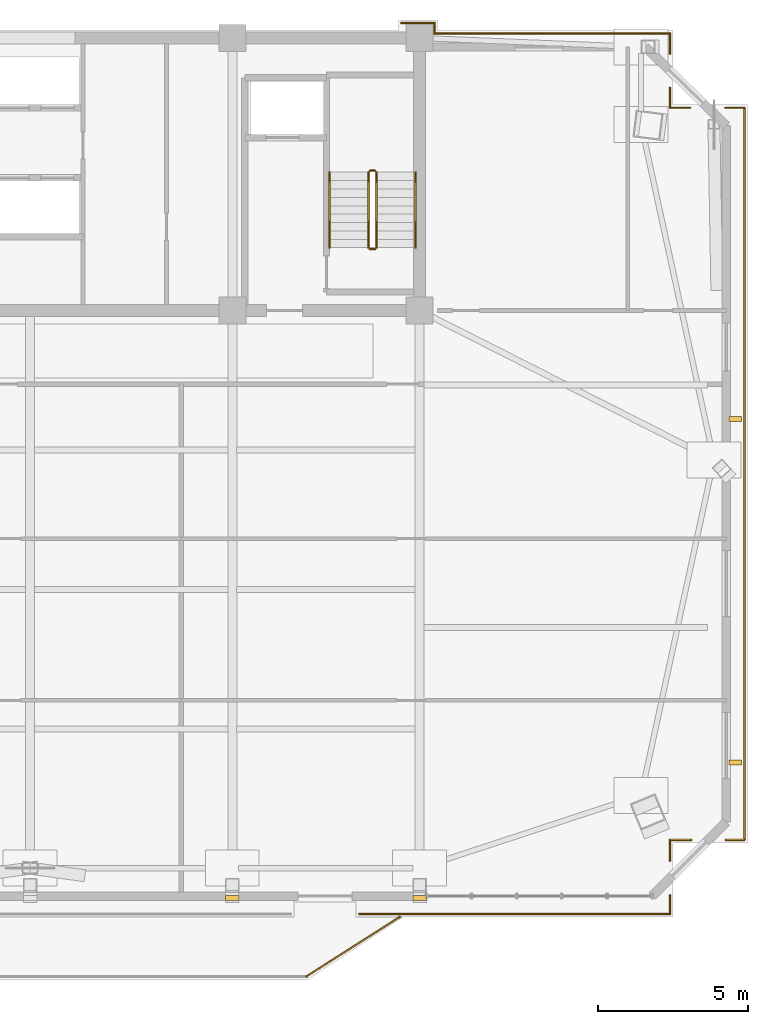
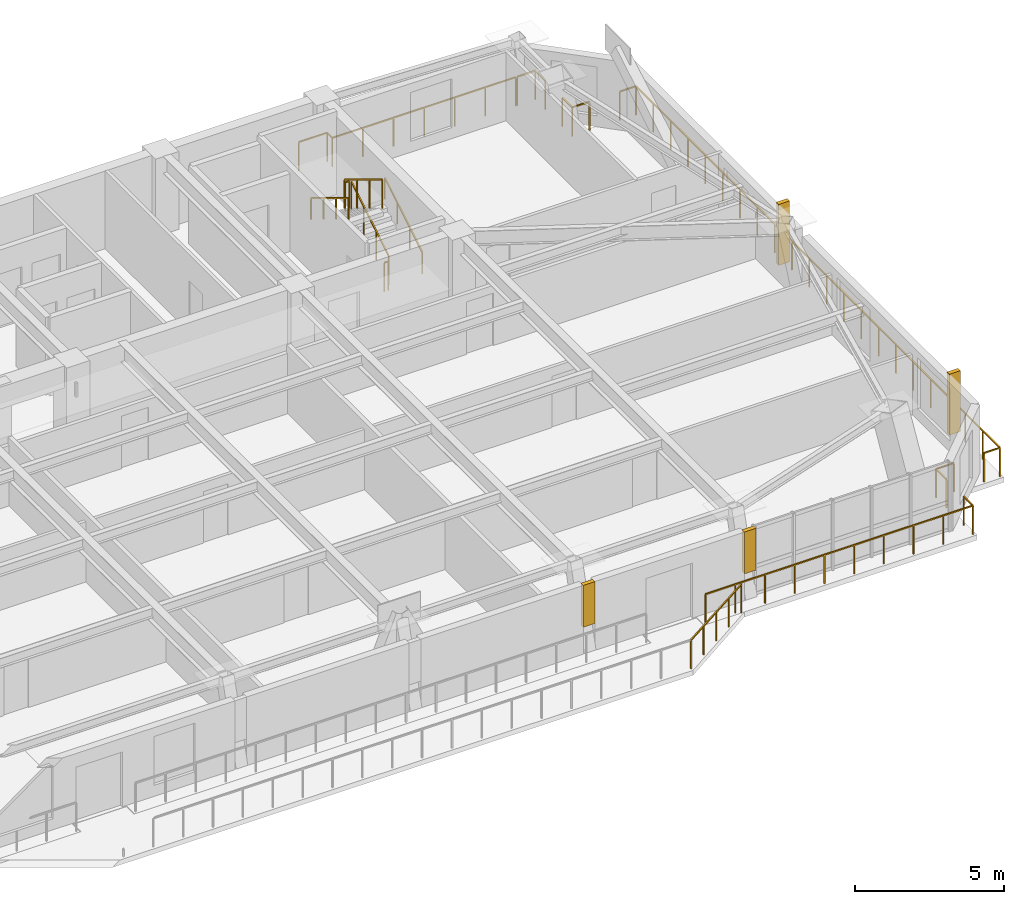
# One storey, part 15 of 15: 21 railings, 2 coverings, 2 shading devices.
"""IFC4 building model written with IfcOpenShell, lengths in metres."""

from ifc_helpers import new_model, si_unit, direction, frame, origin, origin_2d, place, context, subcontext, project, spatial, polyline, rectangle, outline, extrude, source, transform, mapped, material, layer, layer_set, type_object, element, save


model = new_model("IFC4")

# Units and contexts
model_context = context("Model", 3, precision=1e-05, world=origin(), true_north=direction((0.0, 1.0)))
body_context = subcontext(model_context, "Body", "Model", "MODEL_VIEW")
ifc_project = project(units=[si_unit("LENGTHUNIT", "METRE"), si_unit("AREAUNIT", "SQUARE_METRE"), si_unit("VOLUMEUNIT", "CUBIC_METRE"), si_unit("PLANEANGLEUNIT", "RADIAN"), si_unit("MASSUNIT", "GRAM", prefix="KILO")], contexts=[model_context])

# Site, building, storey
site_placement = place(None, origin())
site = spatial("IfcSite", under=ifc_project, at=site_placement, CompositionType="ELEMENT")
building_placement = place(site_placement, origin())
building = spatial("IfcBuilding", under=site, at=building_placement, Name="Giltprow Tower", CompositionType="ELEMENT")
storey_placement = place(building_placement, frame((0.0, 0.0, 290.39990234375)))
storey = spatial("IfcBuildingStorey", under=building, at=storey_placement, Name="L74", CompositionType="ELEMENT", Elevation=290.39990234375)

# Coverings
ifc_material = material(Name="Anodized bronze", Category="metal")
ifc_layer = layer(ifc_material, 0.0400390625, Name="Anodized bronze")
ifc_layer_set = layer_set([ifc_layer], Name="Anodized bronze")
covering_type = type_object("IfcCoveringType", Name="COV-SOFFIT-BRONZE", PredefinedType="CLADDING", material=ifc_layer_set)
covering_1_placement = place(storey_placement, frame((0.0, 0.0, 1.10009765625)))
element("IfcCovering", 1, at=covering_1_placement, inside=storey, type_object=covering_type, Name="L74 Setback Pier Closure Cladding S-4", PredefinedType="CLADDING", context=body_context, shape_type="SweptSolid", body=[
    extrude(outline(polyline([(44.074951171875, 17.76806640625), (44.52490234375, 17.76806640625), (44.52490234375, 17.927978515625), (44.074951171875, 17.927978515625), (44.074951171875, 17.76806640625)])), origin(), (0.0, 0.0, 1.0), 1.715087890625),
])
covering_2_placement = place(storey_placement, frame((0.0, 0.0, 1.10009765625)))
element("IfcCovering", 2, at=covering_2_placement, inside=storey, type_object=covering_type, Name="L74 Setback Pier Closure Cladding S-5", PredefinedType="CLADDING", context=body_context, shape_type="SweptSolid", body=[
    extrude(outline(polyline([(50.324951171875, 17.76806640625), (50.77490234375, 17.76806640625), (50.77490234375, 17.927978515625), (50.324951171875, 17.927978515625), (50.324951171875, 17.76806640625)])), origin(), (0.0, 0.0, 1.0), 1.715087890625),
])

# Railings
railing_type_1 = type_object("IfcRailingType", Name="RAIL-BALC-GUARD-1200", PredefinedType="BALUSTRADE", material=ifc_material)
railing_1_placement = place(storey_placement, frame((46.780029296875, 15.22802734375, 0.0)))
element("IfcRailing", 3, at=railing_1_placement, inside=storey, type_object=railing_type_1, Name="L74 Waterfront Balcony Balustrade Seg 3", PredefinedType="BALUSTRADE", context=body_context, shape_type="SweptSolid", body=[
    extrude(rectangle(XDim=0.048095703125, YDim=0.048095703125, at=origin_2d()), frame((0.0, 0.0, 1.17578125), z_axis=(0.842755646126, 0.538296313309, 0.0), x_axis=(-0.538296313309, 0.842755646126, 0.0)), (0.0, 0.0, 1.0), 3.67822265625),
    extrude(rectangle(XDim=0.0419921875, YDim=0.0419921875, at=origin_2d()), origin(), (0.0, 0.0, 1.0), 1.15185546875),
    extrude(rectangle(XDim=0.0419921875, YDim=0.0419921875, at=origin_2d()), frame((0.77490234375, 0.4951171875, 0.0)), (0.0, 0.0, 1.0), 1.15185546875),
    extrude(rectangle(XDim=0.0419921875, YDim=0.0419921875, at=origin_2d()), frame((1.5498046875, 0.989990234375, 0.0)), (0.0, 0.0, 1.0), 1.15185546875),
    extrude(rectangle(XDim=0.0419921875, YDim=0.0419921875, at=origin_2d()), frame((2.324951171875, 1.48486328125, 0.0)), (0.0, 0.0, 1.0), 1.15185546875),
    extrude(rectangle(XDim=0.0419921875, YDim=0.0419921875, at=origin_2d()), frame((3.099853515625, 1.97998046875, 0.0)), (0.0, 0.0, 1.0), 1.15185546875),
])
railing_2_placement = place(storey_placement, frame((61.39111328125, 44.221923828125, 0.0)))
element("IfcRailing", 4, at=railing_2_placement, inside=storey, type_object=railing_type_1, Name="L74 Corner Apron Edge Balustrade 1", PredefinedType="BALUSTRADE", context=body_context, shape_type="SweptSolid", body=[
    extrude(rectangle(XDim=0.048095703125, YDim=0.048095703125, at=origin_2d()), frame((0.0, 0.0, 1.17578125), z_axis=(0.0, -1.0, 0.0), x_axis=(1.0, 0.0, 0.0)), (0.0, 0.0, 1.0), 24.43701171875),
    extrude(rectangle(XDim=0.0419921875, YDim=0.0419921875, at=origin_2d()), origin(), (0.0, 0.0, 1.0), 1.15185546875),
    extrude(rectangle(XDim=0.0419921875, YDim=0.0419921875, at=origin_2d()), frame((0.0, -1.16357421875, 0.0)), (0.0, 0.0, 1.0), 1.15185546875),
    extrude(rectangle(XDim=0.0419921875, YDim=0.0419921875, at=origin_2d()), frame((0.0, -2.327392578125, 0.0)), (0.0, 0.0, 1.0), 1.15185546875),
    extrude(rectangle(XDim=0.0419921875, YDim=0.0419921875, at=origin_2d()), frame((0.0, -3.490966796875, 0.0)), (0.0, 0.0, 1.0), 1.15185546875),
    extrude(rectangle(XDim=0.0419921875, YDim=0.0419921875, at=origin_2d()), frame((0.0, -4.65478515625, 0.0)), (0.0, 0.0, 1.0), 1.15185546875),
    extrude(rectangle(XDim=0.0419921875, YDim=0.0419921875, at=origin_2d()), frame((0.0, -5.818359375, 0.0)), (0.0, 0.0, 1.0), 1.15185546875),
    extrude(rectangle(XDim=0.0419921875, YDim=0.0419921875, at=origin_2d()), frame((0.0, -6.98193359375, 0.0)), (0.0, 0.0, 1.0), 1.15185546875),
    extrude(rectangle(XDim=0.0419921875, YDim=0.0419921875, at=origin_2d()), frame((0.0, -8.145751953125, 0.0)), (0.0, 0.0, 1.0), 1.15185546875),
    extrude(rectangle(XDim=0.0419921875, YDim=0.0419921875, at=origin_2d()), frame((0.0, -9.309326171875, 0.0)), (0.0, 0.0, 1.0), 1.15185546875),
    extrude(rectangle(XDim=0.0419921875, YDim=0.0419921875, at=origin_2d()), frame((0.0, -10.472900390625, 0.0)), (0.0, 0.0, 1.0), 1.15185546875),
    extrude(rectangle(XDim=0.0419921875, YDim=0.0419921875, at=origin_2d()), frame((0.0, -11.63671875, 0.0)), (0.0, 0.0, 1.0), 1.15185546875),
    extrude(rectangle(XDim=0.0419921875, YDim=0.0419921875, at=origin_2d()), frame((0.0, -12.80029296875, 0.0)), (0.0, 0.0, 1.0), 1.15185546875),
    extrude(rectangle(XDim=0.0419921875, YDim=0.0419921875, at=origin_2d()), frame((0.0, -13.964111328125, 0.0)), (0.0, 0.0, 1.0), 1.15185546875),
    extrude(rectangle(XDim=0.0419921875, YDim=0.0419921875, at=origin_2d()), frame((0.0, -15.127685546875, 0.0)), (0.0, 0.0, 1.0), 1.15185546875),
    extrude(rectangle(XDim=0.0419921875, YDim=0.0419921875, at=origin_2d()), frame((0.0, -16.291259765625, 0.0)), (0.0, 0.0, 1.0), 1.15185546875),
    extrude(rectangle(XDim=0.0419921875, YDim=0.0419921875, at=origin_2d()), frame((0.0, -17.455078125, 0.0)), (0.0, 0.0, 1.0), 1.15185546875),
    extrude(rectangle(XDim=0.0419921875, YDim=0.0419921875, at=origin_2d()), frame((0.0, -18.61865234375, 0.0)), (0.0, 0.0, 1.0), 1.15185546875),
    extrude(rectangle(XDim=0.0419921875, YDim=0.0419921875, at=origin_2d()), frame((0.0, -19.7822265625, 0.0)), (0.0, 0.0, 1.0), 1.15185546875),
    extrude(rectangle(XDim=0.0419921875, YDim=0.0419921875, at=origin_2d()), frame((0.0, -20.946044921875, 0.0)), (0.0, 0.0, 1.0), 1.15185546875),
    extrude(rectangle(XDim=0.0419921875, YDim=0.0419921875, at=origin_2d()), frame((0.0, -22.109619140625, 0.0)), (0.0, 0.0, 1.0), 1.15185546875),
    extrude(rectangle(XDim=0.0419921875, YDim=0.0419921875, at=origin_2d()), frame((0.0, -23.2734375, 0.0)), (0.0, 0.0, 1.0), 1.15185546875),
    extrude(rectangle(XDim=0.0419921875, YDim=0.0419921875, at=origin_2d()), frame((0.0, -24.43701171875, 0.0)), (0.0, 0.0, 1.0), 1.15185546875),
])
railing_3_placement = place(storey_placement, frame((61.39111328125, 19.784912109375, 0.0)))
element("IfcRailing", 5, at=railing_3_placement, inside=storey, type_object=railing_type_1, Name="L74 Corner Apron Edge Balustrade 2", PredefinedType="BALUSTRADE", context=body_context, shape_type="SweptSolid", body=[
    extrude(rectangle(XDim=0.048095703125, YDim=0.048095703125, at=origin_2d()), frame((0.0, 0.0, 1.17578125), z_axis=(-1.0, 0.0, 0.0), x_axis=(0.0, -1.0, 0.0)), (0.0, 0.0, 1.0), 0.6201171875),
    extrude(rectangle(XDim=0.0419921875, YDim=0.0419921875, at=origin_2d()), origin(), (0.0, 0.0, 1.0), 1.15185546875),
    extrude(rectangle(XDim=0.0419921875, YDim=0.0419921875, at=origin_2d()), frame((-0.6201171875, 0.0, 0.0)), (0.0, 0.0, 1.0), 1.15185546875),
])
railing_4_placement = place(storey_placement, frame((59.611083984375, 19.784912109375, 0.0)))
element("IfcRailing", 6, at=railing_4_placement, inside=storey, type_object=railing_type_1, Name="L74 Corner Apron Edge Balustrade 3", PredefinedType="BALUSTRADE", context=body_context, shape_type="SweptSolid", body=[
    extrude(rectangle(XDim=0.048095703125, YDim=0.048095703125, at=origin_2d()), frame((0.0, 0.0, 1.17578125), z_axis=(-1.0, 0.0, 0.0), x_axis=(0.0, -1.0, 0.0)), (0.0, 0.0, 1.0), 0.697021484375),
    extrude(rectangle(XDim=0.0419921875, YDim=0.0419921875, at=origin_2d()), origin(), (0.0, 0.0, 1.0), 1.15185546875),
    extrude(rectangle(XDim=0.0419921875, YDim=0.0419921875, at=origin_2d()), frame((-0.697021484375, 0.0, 0.0)), (0.0, 0.0, 1.0), 1.15185546875),
])
railing_5_placement = place(storey_placement, frame((58.9140625, 19.784912109375, 0.0)))
element("IfcRailing", 7, at=railing_5_placement, inside=storey, type_object=railing_type_1, Name="L74 Corner Apron Edge Balustrade 4", PredefinedType="BALUSTRADE", context=body_context, shape_type="SweptSolid", body=[
    extrude(rectangle(XDim=0.048095703125, YDim=0.048095703125, at=origin_2d()), frame((0.0, 0.0, 1.17578125), z_axis=(0.0, -1.0, 0.0), x_axis=(1.0, 0.0, 0.0)), (0.0, 0.0, 1.0), 0.697021484375),
    extrude(rectangle(XDim=0.0419921875, YDim=0.0419921875, at=origin_2d()), origin(), (0.0, 0.0, 1.0), 1.15185546875),
    extrude(rectangle(XDim=0.0419921875, YDim=0.0419921875, at=origin_2d()), frame((0.0, -0.697021484375, 0.0)), (0.0, 0.0, 1.0), 1.15185546875),
])
railing_6_placement = place(storey_placement, frame((58.9140625, 17.927978515625, 0.0)))
element("IfcRailing", 8, at=railing_6_placement, inside=storey, type_object=railing_type_1, Name="L74 Corner Apron Edge Balustrade 5", PredefinedType="BALUSTRADE", context=body_context, shape_type="SweptSolid", body=[
    extrude(rectangle(XDim=0.048095703125, YDim=0.048095703125, at=origin_2d()), frame((0.0, 0.0, 1.17578125), z_axis=(0.0, -1.0, 0.0), x_axis=(1.0, 0.0, 0.0)), (0.0, 0.0, 1.0), 0.619873046875),
    extrude(rectangle(XDim=0.0419921875, YDim=0.0419921875, at=origin_2d()), origin(), (0.0, 0.0, 1.0), 1.15185546875),
    extrude(rectangle(XDim=0.0419921875, YDim=0.0419921875, at=origin_2d()), frame((0.0, -0.619873046875, 0.0)), (0.0, 0.0, 1.0), 1.15185546875),
])
railing_7_placement = place(storey_placement, frame((58.9140625, 17.30810546875, 0.0)))
element("IfcRailing", 9, at=railing_7_placement, inside=storey, type_object=railing_type_1, Name="L74 Corner Apron Edge Balustrade 6", PredefinedType="BALUSTRADE", context=body_context, shape_type="SweptSolid", body=[
    extrude(rectangle(XDim=0.048095703125, YDim=0.048095703125, at=origin_2d()), frame((0.0, 0.0, 1.17578125), z_axis=(-1.0, 0.0, 0.0), x_axis=(0.0, -1.0, 0.0)), (0.0, 0.0, 1.0), 10.364013671875),
    extrude(rectangle(XDim=0.0419921875, YDim=0.0419921875, at=origin_2d()), origin(), (0.0, 0.0, 1.0), 1.15185546875),
    extrude(rectangle(XDim=0.0419921875, YDim=0.0419921875, at=origin_2d()), frame((-1.151611328125, 0.0, 0.0)), (0.0, 0.0, 1.0), 1.15185546875),
    extrude(rectangle(XDim=0.0419921875, YDim=0.0419921875, at=origin_2d()), frame((-2.30322265625, 0.0, 0.0)), (0.0, 0.0, 1.0), 1.15185546875),
    extrude(rectangle(XDim=0.0419921875, YDim=0.0419921875, at=origin_2d()), frame((-3.45458984375, 0.0, 0.0)), (0.0, 0.0, 1.0), 1.15185546875),
    extrude(rectangle(XDim=0.0419921875, YDim=0.0419921875, at=origin_2d()), frame((-4.606201171875, 0.0, 0.0)), (0.0, 0.0, 1.0), 1.15185546875),
    extrude(rectangle(XDim=0.0419921875, YDim=0.0419921875, at=origin_2d()), frame((-5.7578125, 0.0, 0.0)), (0.0, 0.0, 1.0), 1.15185546875),
    extrude(rectangle(XDim=0.0419921875, YDim=0.0419921875, at=origin_2d()), frame((-6.909423828125, 0.0, 0.0)), (0.0, 0.0, 1.0), 1.15185546875),
    extrude(rectangle(XDim=0.0419921875, YDim=0.0419921875, at=origin_2d()), frame((-8.060791015625, 0.0, 0.0)), (0.0, 0.0, 1.0), 1.15185546875),
    extrude(rectangle(XDim=0.0419921875, YDim=0.0419921875, at=origin_2d()), frame((-9.21240234375, 0.0, 0.0)), (0.0, 0.0, 1.0), 1.15185546875),
    extrude(rectangle(XDim=0.0419921875, YDim=0.0419921875, at=origin_2d()), frame((-10.364013671875, 0.0, 0.0)), (0.0, 0.0, 1.0), 1.15185546875),
])
railing_8_placement = place(storey_placement, frame((49.949951171875, 47.050048828125, 0.0)))
element("IfcRailing", 10, at=railing_8_placement, inside=storey, type_object=railing_type_1, Name="L74 Corner Apron Edge Balustrade 22", PredefinedType="BALUSTRADE", context=body_context, shape_type="SweptSolid", body=[
    extrude(rectangle(XDim=0.048095703125, YDim=0.048095703125, at=origin_2d()), frame((0.0, 0.0, 1.17578125), z_axis=(1.0, 0.0, 0.0), x_axis=(0.0, 1.0, 0.0)), (0.0, 0.0, 1.0), 1.10009765625),
    extrude(rectangle(XDim=0.0419921875, YDim=0.0419921875, at=origin_2d()), origin(), (0.0, 0.0, 1.0), 1.15185546875),
    extrude(rectangle(XDim=0.0419921875, YDim=0.0419921875, at=origin_2d()), frame((1.10009765625, 0.0, 0.0)), (0.0, 0.0, 1.0), 1.15185546875),
])
railing_9_placement = place(storey_placement, frame((51.050048828125, 47.050048828125, 0.0)))
element("IfcRailing", 11, at=railing_9_placement, inside=storey, type_object=railing_type_1, Name="L74 Corner Apron Edge Balustrade 23", PredefinedType="BALUSTRADE", context=body_context, shape_type="SweptSolid", body=[
    extrude(rectangle(XDim=0.048095703125, YDim=0.048095703125, at=origin_2d()), frame((0.0, 0.0, 1.17578125), z_axis=(0.0, -1.0, 0.0), x_axis=(1.0, 0.0, 0.0)), (0.0, 0.0, 1.0), 0.35107421875),
    extrude(rectangle(XDim=0.0419921875, YDim=0.0419921875, at=origin_2d()), origin(), (0.0, 0.0, 1.0), 1.15185546875),
    extrude(rectangle(XDim=0.0419921875, YDim=0.0419921875, at=origin_2d()), frame((0.0, -0.35107421875, 0.0)), (0.0, 0.0, 1.0), 1.15185546875),
])
railing_10_placement = place(storey_placement, frame((51.050048828125, 46.698974609375, 0.0)))
element("IfcRailing", 12, at=railing_10_placement, inside=storey, type_object=railing_type_1, Name="L74 Corner Apron Edge Balustrade 24", PredefinedType="BALUSTRADE", context=body_context, shape_type="SweptSolid", body=[
    extrude(rectangle(XDim=0.048095703125, YDim=0.048095703125, at=origin_2d()), frame((0.0, 0.0, 1.17578125), z_axis=(1.0, 0.0, 0.0), x_axis=(0.0, 1.0, 0.0)), (0.0, 0.0, 1.0), 7.113037109375),
    extrude(rectangle(XDim=0.0419921875, YDim=0.0419921875, at=origin_2d()), origin(), (0.0, 0.0, 1.0), 1.15185546875),
    extrude(rectangle(XDim=0.0419921875, YDim=0.0419921875, at=origin_2d()), frame((1.185546875, 0.0, 0.0)), (0.0, 0.0, 1.0), 1.15185546875),
    extrude(rectangle(XDim=0.0419921875, YDim=0.0419921875, at=origin_2d()), frame((2.37109375, 0.0, 0.0)), (0.0, 0.0, 1.0), 1.15185546875),
    extrude(rectangle(XDim=0.0419921875, YDim=0.0419921875, at=origin_2d()), frame((3.556640625, 0.0, 0.0)), (0.0, 0.0, 1.0), 1.15185546875),
    extrude(rectangle(XDim=0.0419921875, YDim=0.0419921875, at=origin_2d()), frame((4.741943359375, 0.0, 0.0)), (0.0, 0.0, 1.0), 1.15185546875),
    extrude(rectangle(XDim=0.0419921875, YDim=0.0419921875, at=origin_2d()), frame((5.927490234375, 0.0, 0.0)), (0.0, 0.0, 1.0), 1.15185546875),
    extrude(rectangle(XDim=0.0419921875, YDim=0.0419921875, at=origin_2d()), frame((7.113037109375, 0.0, 0.0)), (0.0, 0.0, 1.0), 1.15185546875),
])
railing_11_placement = place(storey_placement, frame((58.215087890625, 46.698974609375, 0.0)))
element("IfcRailing", 13, at=railing_11_placement, inside=storey, type_object=railing_type_1, Name="L74 Corner Apron Edge Balustrade 25", PredefinedType="BALUSTRADE", context=body_context, shape_type="SweptSolid", body=[
    extrude(rectangle(XDim=0.048095703125, YDim=0.048095703125, at=origin_2d()), frame((0.0, 0.0, 1.17578125), z_axis=(1.0, 0.0, 0.0), x_axis=(0.0, 1.0, 0.0)), (0.0, 0.0, 1.0), 0.698974609375),
    extrude(rectangle(XDim=0.0419921875, YDim=0.0419921875, at=origin_2d()), origin(), (0.0, 0.0, 1.0), 1.15185546875),
    extrude(rectangle(XDim=0.0419921875, YDim=0.0419921875, at=origin_2d()), frame((0.698974609375, 0.0, 0.0)), (0.0, 0.0, 1.0), 1.15185546875),
])
railing_12_placement = place(storey_placement, frame((58.9140625, 46.698974609375, 0.0)))
element("IfcRailing", 14, at=railing_12_placement, inside=storey, type_object=railing_type_1, Name="L74 Corner Apron Edge Balustrade 26", PredefinedType="BALUSTRADE", context=body_context, shape_type="SweptSolid", body=[
    extrude(rectangle(XDim=0.048095703125, YDim=0.048095703125, at=origin_2d()), frame((0.0, 0.0, 1.17578125), z_axis=(0.0, -1.0, 0.0), x_axis=(1.0, 0.0, 0.0)), (0.0, 0.0, 1.0), 0.678955078125),
    extrude(rectangle(XDim=0.0419921875, YDim=0.0419921875, at=origin_2d()), origin(), (0.0, 0.0, 1.0), 1.15185546875),
    extrude(rectangle(XDim=0.0419921875, YDim=0.0419921875, at=origin_2d()), frame((0.0, -0.678955078125, 0.0)), (0.0, 0.0, 1.0), 1.15185546875),
])
railing_13_placement = place(storey_placement, frame((58.9140625, 44.8759765625, 0.0)))
element("IfcRailing", 15, at=railing_13_placement, inside=storey, type_object=railing_type_1, Name="L74 Corner Apron Edge Balustrade 27", PredefinedType="BALUSTRADE", context=body_context, shape_type="SweptSolid", body=[
    extrude(rectangle(XDim=0.048095703125, YDim=0.048095703125, at=origin_2d()), frame((0.0, 0.0, 1.17578125), z_axis=(0.0, -1.0, 0.0), x_axis=(1.0, 0.0, 0.0)), (0.0, 0.0, 1.0), 0.654052734375),
    extrude(rectangle(XDim=0.0419921875, YDim=0.0419921875, at=origin_2d()), origin(), (0.0, 0.0, 1.0), 1.15185546875),
    extrude(rectangle(XDim=0.0419921875, YDim=0.0419921875, at=origin_2d()), frame((0.0, -0.654052734375, 0.0)), (0.0, 0.0, 1.0), 1.15185546875),
])
railing_14_placement = place(storey_placement, frame((58.9140625, 44.221923828125, 0.0)))
element("IfcRailing", 16, at=railing_14_placement, inside=storey, type_object=railing_type_1, Name="L74 Corner Apron Edge Balustrade 28", PredefinedType="BALUSTRADE", context=body_context, shape_type="SweptSolid", body=[
    extrude(rectangle(XDim=0.048095703125, YDim=0.048095703125, at=origin_2d()), frame((0.0, 0.0, 1.17578125), z_axis=(1.0, 0.0, 0.0), x_axis=(0.0, 1.0, 0.0)), (0.0, 0.0, 1.0), 0.671875),
    extrude(rectangle(XDim=0.0419921875, YDim=0.0419921875, at=origin_2d()), origin(), (0.0, 0.0, 1.0), 1.15185546875),
    extrude(rectangle(XDim=0.0419921875, YDim=0.0419921875, at=origin_2d()), frame((0.671875, 0.0, 0.0)), (0.0, 0.0, 1.0), 1.15185546875),
])
railing_15_placement = place(storey_placement, frame((60.761962890625, 44.221923828125, 0.0)))
element("IfcRailing", 17, at=railing_15_placement, inside=storey, type_object=railing_type_1, Name="L74 Corner Apron Edge Balustrade 29", PredefinedType="BALUSTRADE", context=body_context, shape_type="SweptSolid", body=[
    extrude(rectangle(XDim=0.048095703125, YDim=0.048095703125, at=origin_2d()), frame((0.0, 0.0, 1.17578125), z_axis=(1.0, 0.0, 0.0), x_axis=(0.0, 1.0, 0.0)), (0.0, 0.0, 1.0), 0.629150390625),
    extrude(rectangle(XDim=0.0419921875, YDim=0.0419921875, at=origin_2d()), origin(), (0.0, 0.0, 1.0), 1.15185546875),
    extrude(rectangle(XDim=0.0419921875, YDim=0.0419921875, at=origin_2d()), frame((0.629150390625, 0.0, 0.0)), (0.0, 0.0, 1.0), 1.15185546875),
])
railing_type_2 = type_object("IfcRailingType", Name="RAIL-STAIR-GUARD-1200", PredefinedType="GUARDRAIL", material=ifc_material)
railing_16_placement = place(storey_placement, frame((49.110107421875, 39.550048828125, 0.170166015625)))
element("IfcRailing", 18, at=railing_16_placement, inside=storey, type_object=railing_type_2, Name="L74 ST-3 stair guard 1", PredefinedType="GUARDRAIL", context=body_context, shape_type="SweptSolid", body=[
    extrude(rectangle(XDim=0.048095703125, YDim=0.048095703125, at=origin_2d()), frame((0.0, 0.0, 1.17578125), z_axis=(0.0, 0.85478489116, 0.518982456201), x_axis=(-1.0, 0.0, 0.0)), (0.0, 0.0, 1.0), 2.9482421875),
    extrude(rectangle(XDim=0.0419921875, YDim=0.0419921875, at=origin_2d()), origin(), (0.0, 0.0, 1.0), 1.15185546875),
    extrude(rectangle(XDim=0.0419921875, YDim=0.0419921875, at=origin_2d()), frame((0.0, 0.840087890625, 0.510009765625)), (0.0, 0.0, 1.0), 1.15185546875),
    extrude(rectangle(XDim=0.0419921875, YDim=0.0419921875, at=origin_2d()), frame((0.0, 1.679931640625, 1.02001953125)), (0.0, 0.0, 1.0), 1.15185546875),
    extrude(rectangle(XDim=0.0419921875, YDim=0.0419921875, at=origin_2d()), frame((0.0, 2.52001953125, 1.530029296875)), (0.0, 0.0, 1.0), 1.15185546875),
])
railing_17_placement = place(storey_placement, frame((49.06005859375, 42.1201171875, 1.7001953125)))
element("IfcRailing", 19, at=railing_17_placement, inside=storey, type_object=railing_type_2, Name="L74 ST-3 stair guard 2", PredefinedType="GUARDRAIL", context=body_context, shape_type="SweptSolid", body=[
    extrude(rectangle(XDim=0.048095703125, YDim=0.048095703125, at=origin_2d()), frame((0.0, 0.0, 1.17578125), z_axis=(-1.0, 0.0, 0.0), x_axis=(0.0, -1.0, 0.0)), (0.0, 0.0, 1.0), 0.16015625),
    extrude(rectangle(XDim=0.0419921875, YDim=0.0419921875, at=origin_2d()), origin(), (0.0, 0.0, 1.0), 1.15185546875),
    extrude(rectangle(XDim=0.0419921875, YDim=0.0419921875, at=origin_2d()), frame((-0.16015625, 0.0, 0.0)), (0.0, 0.0, 1.0), 1.15185546875),
])
railing_18_placement = place(storey_placement, frame((48.85009765625, 42.070068359375, 1.8701171875)))
element("IfcRailing", 20, at=railing_18_placement, inside=storey, type_object=railing_type_2, Name="L74 ST-3 stair guard 3", PredefinedType="GUARDRAIL", context=body_context, shape_type="SweptSolid", body=[
    extrude(rectangle(XDim=0.048095703125, YDim=0.048095703125, at=origin_2d()), frame((0.0, 0.0, 1.17578125), z_axis=(0.0, -0.85478489116, 0.518982456201), x_axis=(1.0, 0.0, 0.0)), (0.0, 0.0, 1.0), 2.9482421875),
    extrude(rectangle(XDim=0.0419921875, YDim=0.0419921875, at=origin_2d()), origin(), (0.0, 0.0, 1.0), 1.15185546875),
    extrude(rectangle(XDim=0.0419921875, YDim=0.0419921875, at=origin_2d()), frame((0.0, -0.840087890625, 0.510009765625)), (0.0, 0.0, 1.0), 1.15185546875),
    extrude(rectangle(XDim=0.0419921875, YDim=0.0419921875, at=origin_2d()), frame((0.0, -1.679931640625, 1.02001953125)), (0.0, 0.0, 1.0), 1.15185546875),
    extrude(rectangle(XDim=0.0419921875, YDim=0.0419921875, at=origin_2d()), frame((0.0, -2.52001953125, 1.530029296875)), (0.0, 0.0, 1.0), 1.15185546875),
])
railing_19_placement = place(storey_placement, frame((49.06005859375, 39.5, 0.0)))
element("IfcRailing", 21, at=railing_19_placement, inside=storey, type_object=railing_type_2, Name="L74 ST-3 stair guard 4", PredefinedType="GUARDRAIL", context=body_context, shape_type="SweptSolid", body=[
    extrude(rectangle(XDim=0.048095703125, YDim=0.048095703125, at=origin_2d()), frame((0.0, 0.0, 1.17578125), z_axis=(-1.0, 0.0, 0.0), x_axis=(0.0, -1.0, 0.0)), (0.0, 0.0, 1.0), 0.16015625),
    extrude(rectangle(XDim=0.0419921875, YDim=0.0419921875, at=origin_2d()), origin(), (0.0, 0.0, 1.0), 1.15185546875),
    extrude(rectangle(XDim=0.0419921875, YDim=0.0419921875, at=origin_2d()), frame((-0.16015625, 0.0, 0.0)), (0.0, 0.0, 1.0), 1.15185546875),
])
railing_type_3 = type_object("IfcRailingType", Name="RAIL-STAIR-HAND-900", PredefinedType="HANDRAIL", material=ifc_material)
railing_20_placement = place(storey_placement, frame((50.409912109375, 39.550048828125, 0.170166015625)))
element("IfcRailing", 22, at=railing_20_placement, inside=storey, type_object=railing_type_3, Name="L74 ST-3 stair handrail 1", PredefinedType="HANDRAIL", context=body_context, shape_type="SweptSolid", body=[
    extrude(rectangle(XDim=0.048095703125, YDim=0.048095703125, at=origin_2d()), frame((0.0, 0.0, 0.8759765625), z_axis=(0.0, 0.85478489116, 0.518982456201), x_axis=(-1.0, 0.0, 0.0)), (0.0, 0.0, 1.0), 2.9482421875),
    extrude(rectangle(XDim=0.0419921875, YDim=0.0419921875, at=origin_2d()), origin(), (0.0, 0.0, 1.0), 0.851806640625),
    extrude(rectangle(XDim=0.0419921875, YDim=0.0419921875, at=origin_2d()), frame((0.0, 0.840087890625, 0.510009765625)), (0.0, 0.0, 1.0), 0.851806640625),
    extrude(rectangle(XDim=0.0419921875, YDim=0.0419921875, at=origin_2d()), frame((0.0, 1.679931640625, 1.02001953125)), (0.0, 0.0, 1.0), 0.851806640625),
    extrude(rectangle(XDim=0.0419921875, YDim=0.0419921875, at=origin_2d()), frame((0.0, 2.52001953125, 1.530029296875)), (0.0, 0.0, 1.0), 0.851806640625),
])
railing_21_placement = place(storey_placement, frame((47.550048828125, 42.070068359375, 1.8701171875)))
element("IfcRailing", 23, at=railing_21_placement, inside=storey, type_object=railing_type_3, Name="L74 ST-3 stair handrail 2", PredefinedType="HANDRAIL", context=body_context, shape_type="SweptSolid", body=[
    extrude(rectangle(XDim=0.048095703125, YDim=0.048095703125, at=origin_2d()), frame((0.0, 0.0, 0.8759765625), z_axis=(0.0, -0.85478489116, 0.518982456201), x_axis=(1.0, 0.0, 0.0)), (0.0, 0.0, 1.0), 2.9482421875),
    extrude(rectangle(XDim=0.0419921875, YDim=0.0419921875, at=origin_2d()), origin(), (0.0, 0.0, 1.0), 0.851806640625),
    extrude(rectangle(XDim=0.0419921875, YDim=0.0419921875, at=origin_2d()), frame((0.0, -0.840087890625, 0.510009765625)), (0.0, 0.0, 1.0), 0.851806640625),
    extrude(rectangle(XDim=0.0419921875, YDim=0.0419921875, at=origin_2d()), frame((0.0, -1.679931640625, 1.02001953125)), (0.0, 0.0, 1.0), 0.851806640625),
    extrude(rectangle(XDim=0.0419921875, YDim=0.0419921875, at=origin_2d()), frame((0.0, -2.52001953125, 1.530029296875)), (0.0, 0.0, 1.0), 0.851806640625),
])

# Shading devices
shading_device_type = type_object("IfcShadingDeviceType", Name="SHD-FIN-420", PredefinedType="USERDEFINED", material=ifc_material)
shared_shape = source(origin(), body_context, "Body", "SweptSolid", [
    extrude(rectangle(XDim=0.419921875, YDim=0.159912109375, at=origin_2d()), origin(), (0.0, 0.0, 1.0), 2.5),
])
for number, where, z_axis, x_axis, name in (
    (24, (61.091064453125, 22.366943359375, 0.35009765625), (0.0, 0.0, 1.0), (1.0, 0.0, 0.0), "L74 E Bronze Vertical Fin 1-1"),
    (25, (61.091064453125, 33.8369140625, 0.35009765625), (0.0, 0.0, 1.0), (1.0, 0.0, 0.0), "L74 E Bronze Vertical Fin 2-1"),
):
    element("IfcShadingDevice", number, at=place(storey_placement, frame(where, z_axis=z_axis, x_axis=x_axis)), inside=storey, type_object=shading_device_type, Name=name, ObjectType="FIN", PredefinedType="USERDEFINED", context=body_context, shape_type="MappedRepresentation", body=[
        mapped(shared_shape, transform((0.0, 0.0, 0.0), x_axis=(1.0, 0.0, 0.0), y_axis=(0.0, 1.0, 0.0), z_axis=(0.0, 0.0, 1.0), scale=1.0)),
    ])

save(model, "model.ifc")
